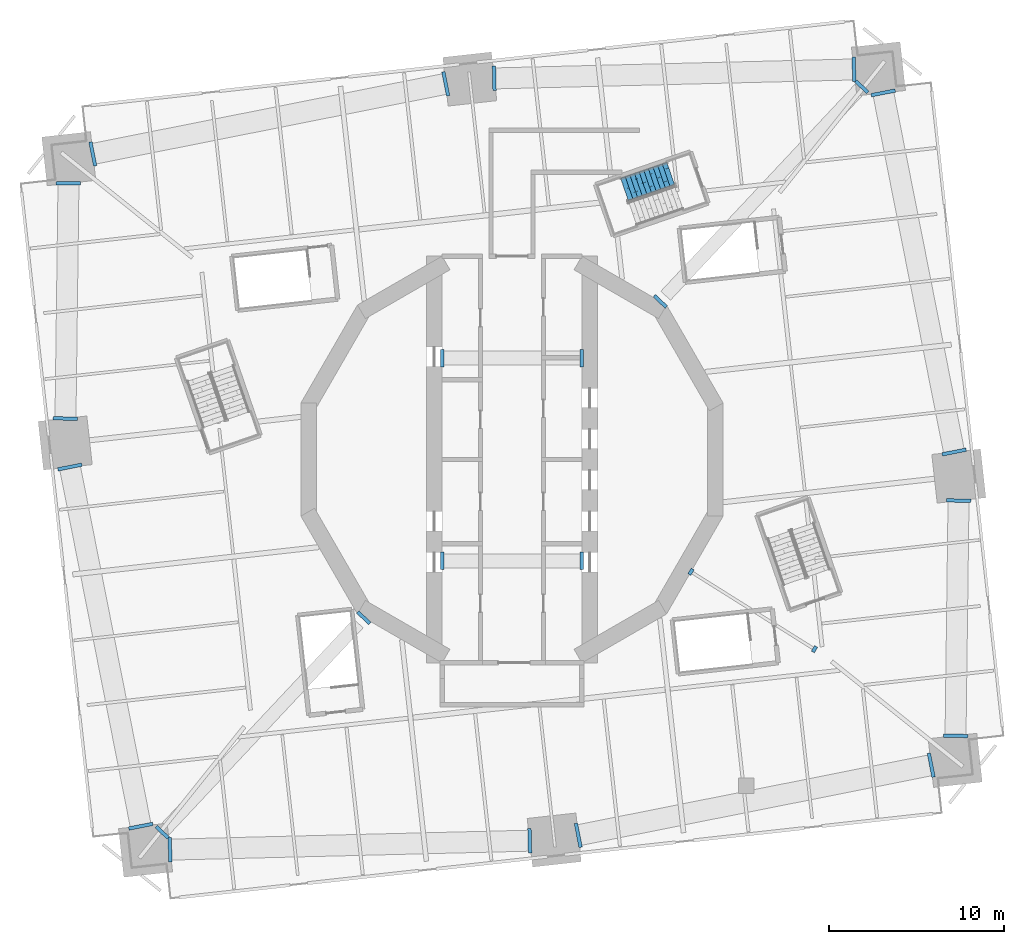
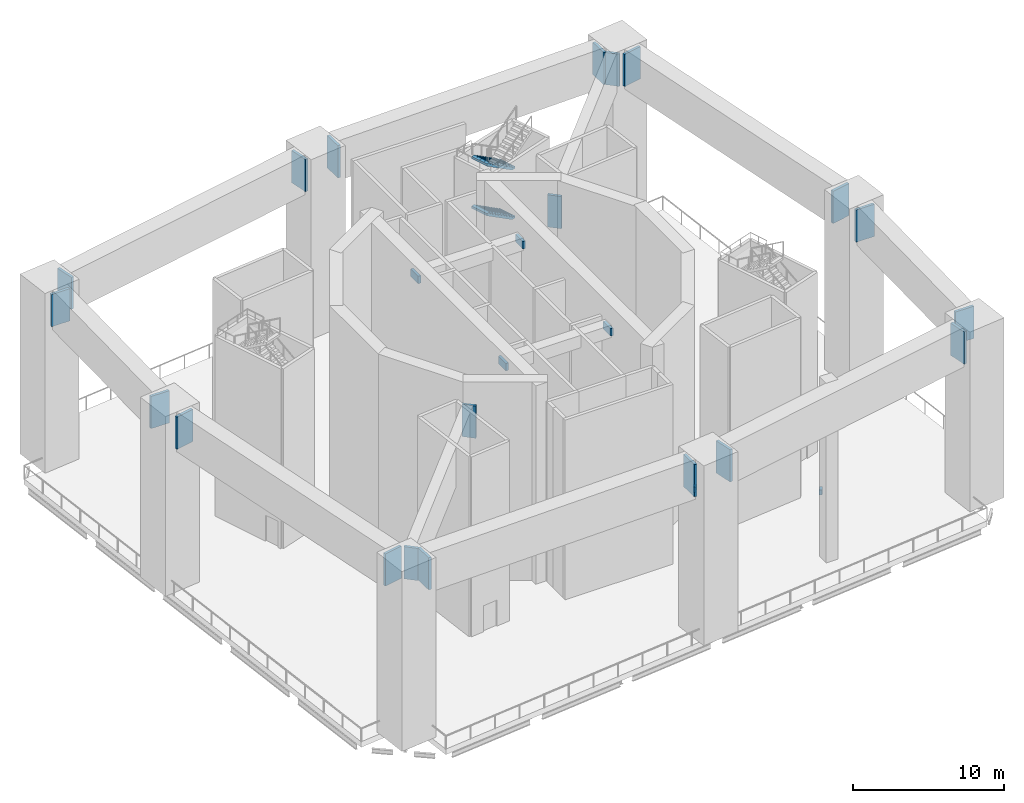
# One storey, part 8 of 13: 26 discrete accessories, 2 stair flights, 1 element without a shape of its own.
"""IFC4 building model written with IfcOpenShell, lengths in metres."""

from ifc_helpers import new_model, si_unit, direction, frame, origin, place, context, subcontext, project, spatial, polyline, outline, extrude, material, layer, layer_set, type_object, element, aggregate, save


model = new_model("IFC4")

# Units and contexts
model_context = context("Model", 3, precision=1e-05, world=origin(), true_north=direction((0.0, 1.0)))
body_context = subcontext(model_context, "Body", "Model", "MODEL_VIEW")
ifc_project = project(units=[si_unit("LENGTHUNIT", "METRE"), si_unit("AREAUNIT", "SQUARE_METRE"), si_unit("VOLUMEUNIT", "CUBIC_METRE"), si_unit("PLANEANGLEUNIT", "RADIAN"), si_unit("MASSUNIT", "GRAM", prefix="KILO")], contexts=[model_context])

# Site, building, storey
site_placement = place(None, origin())
site = spatial("IfcSite", under=ifc_project, at=site_placement, CompositionType="ELEMENT")
building_placement = place(site_placement, origin())
building = spatial("IfcBuilding", under=site, at=building_placement, Name="Cantera Rosa Tower", CompositionType="ELEMENT")
storey_placement = place(building_placement, frame((0.0, 0.0, 84.300048828125)))
storey = spatial("IfcBuildingStorey", under=building, at=storey_placement, Name="L18", CompositionType="ELEMENT", Elevation=84.300048828125)

# Stair, stair flights
ifc_material_1 = material(Name="Concrete C35/45", Category="concrete")
stair_type = type_object("IfcStairType", Name="EXIT STAIR 1350 DOGLEG", PredefinedType="HALF_TURN_STAIR", material=ifc_material_1)
stair_placement = place(storey_placement, origin())
stair = element("IfcStair", 1, at=stair_placement, inside=storey, type_object=stair_type, Name="L18 ST-21", PredefinedType="HALF_TURN_STAIR")
ifc_material_2 = material(Name="Concrete C35/45", Category="concrete")
stair_flight_type = type_object("IfcStairFlightType", Name="STAIR FLIGHT 1350 R88x182", PredefinedType="STRAIGHT", material=ifc_material_2)
stair_flight_1_placement = place(storey_placement, frame((9.07958984375, 16.364990234375, 8.0), z_axis=(0.0, 0.0, 1.0), x_axis=(-0.945518575599, -0.325568154457, 0.0)))
stair_flight_1 = element("IfcStairFlight", 2, at=stair_flight_1_placement, type_object=stair_flight_type, Name="ST-21 flight 5", NumberOfRisers=11, NumberOfTreads=10, PredefinedType="STRAIGHT", RiserHeight=0.181818182, TreadLength=0.28, context=body_context, shape_type="SweptSolid", body=[
    extrude(outline(polyline([(0.0, 0.0), (0.0, 0.181884765625), (0.280029296875, 0.181884765625), (0.280029296875, 0.363525390625), (0.56005859375, 0.363525390625), (0.56005859375, 0.54541015625), (0.840087890625, 0.54541015625), (0.840087890625, 0.727294921875), (1.1201171875, 0.727294921875), (1.1201171875, 0.9091796875), (1.39990234375, 0.9091796875), (1.39990234375, 1.0908203125), (1.679931640625, 1.0908203125), (1.679931640625, 1.272705078125), (1.9599609375, 1.272705078125), (1.9599609375, 1.45458984375), (2.239990234375, 1.45458984375), (2.239990234375, 1.636474609375), (2.52001953125, 1.636474609375), (2.52001953125, 1.818115234375), (2.800048828125, 1.818115234375), (2.800048828125, 2.0), (2.800048828125, 1.639404296875), (0.275146484375, 0.0), (0.0, 0.0)])), frame((0.0, 0.675048828125, 0.0), z_axis=(0.0, -1.0, 0.0), x_axis=(1.0, 0.0, 0.0)), (0.0, 0.0, 1.0), 0.3359375),
    extrude(outline(polyline([(0.0, 0.0), (0.0, 0.181884765625), (0.280029296875, 0.181884765625), (0.280029296875, 0.363525390625), (0.56005859375, 0.363525390625), (0.56005859375, 0.54541015625), (0.840087890625, 0.54541015625), (0.840087890625, 0.727294921875), (1.1201171875, 0.727294921875), (1.1201171875, 0.9091796875), (1.39990234375, 0.9091796875), (1.39990234375, 1.0908203125), (1.679931640625, 1.0908203125), (1.679931640625, 1.272705078125), (1.9599609375, 1.272705078125), (1.9599609375, 1.45458984375), (2.239990234375, 1.45458984375), (2.239990234375, 1.636474609375), (2.52001953125, 1.636474609375), (2.52001953125, 1.818115234375), (2.800048828125, 1.818115234375), (2.800048828125, 2.0), (2.800048828125, 1.639404296875), (0.275146484375, 0.0), (0.0, 0.0)])), frame((0.0, 0.337158203125, 0.0), z_axis=(0.0, -1.0, 0.0), x_axis=(1.0, 0.0, 0.0)), (0.0, 0.0, 1.0), 0.3359375),
    extrude(outline(polyline([(0.0, 0.0), (0.0, 0.181884765625), (0.280029296875, 0.181884765625), (0.280029296875, 0.363525390625), (0.56005859375, 0.363525390625), (0.56005859375, 0.54541015625), (0.840087890625, 0.54541015625), (0.840087890625, 0.727294921875), (1.1201171875, 0.727294921875), (1.1201171875, 0.9091796875), (1.39990234375, 0.9091796875), (1.39990234375, 1.0908203125), (1.679931640625, 1.0908203125), (1.679931640625, 1.272705078125), (1.9599609375, 1.272705078125), (1.9599609375, 1.45458984375), (2.239990234375, 1.45458984375), (2.239990234375, 1.636474609375), (2.52001953125, 1.636474609375), (2.52001953125, 1.818115234375), (2.800048828125, 1.818115234375), (2.800048828125, 2.0), (2.800048828125, 1.639404296875), (0.275146484375, 0.0), (0.0, 0.0)])), frame((0.0, -0.000732421875, 0.0), z_axis=(0.0, -1.0, 0.0), x_axis=(1.0, 0.0, 0.0)), (0.0, 0.0, 1.0), 0.3359375),
    extrude(outline(polyline([(0.0, 0.0), (0.0, 0.181884765625), (0.280029296875, 0.181884765625), (0.280029296875, 0.363525390625), (0.56005859375, 0.363525390625), (0.56005859375, 0.54541015625), (0.840087890625, 0.54541015625), (0.840087890625, 0.727294921875), (1.1201171875, 0.727294921875), (1.1201171875, 0.9091796875), (1.39990234375, 0.9091796875), (1.39990234375, 1.0908203125), (1.679931640625, 1.0908203125), (1.679931640625, 1.272705078125), (1.9599609375, 1.272705078125), (1.9599609375, 1.45458984375), (2.239990234375, 1.45458984375), (2.239990234375, 1.636474609375), (2.52001953125, 1.636474609375), (2.52001953125, 1.818115234375), (2.800048828125, 1.818115234375), (2.800048828125, 2.0), (2.800048828125, 1.639404296875), (0.275146484375, 0.0), (0.0, 0.0)])), frame((0.0, -0.338623046875, 0.0), z_axis=(0.0, -1.0, 0.0), x_axis=(1.0, 0.0, 0.0)), (0.0, 0.0, 1.0), 0.3359375),
])
stair_flight_2_placement = place(storey_placement, frame((9.07958984375, 16.364990234375, 12.0), z_axis=(0.0, 0.0, 1.0), x_axis=(-0.945518575599, -0.325568154457, 0.0)))
stair_flight_2 = element("IfcStairFlight", 3, at=stair_flight_2_placement, type_object=stair_flight_type, Name="ST-21 flight 7", NumberOfRisers=11, NumberOfTreads=10, PredefinedType="STRAIGHT", RiserHeight=0.181818182, TreadLength=0.28, context=body_context, shape_type="SweptSolid", body=[
    extrude(outline(polyline([(0.0, 0.0), (0.0, 0.181884765625), (0.280029296875, 0.181884765625), (0.280029296875, 0.363525390625), (0.56005859375, 0.363525390625), (0.56005859375, 0.54541015625), (0.840087890625, 0.54541015625), (0.840087890625, 0.727294921875), (1.1201171875, 0.727294921875), (1.1201171875, 0.9091796875), (1.39990234375, 0.9091796875), (1.39990234375, 1.0908203125), (1.679931640625, 1.0908203125), (1.679931640625, 1.272705078125), (1.9599609375, 1.272705078125), (1.9599609375, 1.45458984375), (2.239990234375, 1.45458984375), (2.239990234375, 1.636474609375), (2.52001953125, 1.636474609375), (2.52001953125, 1.818115234375), (2.800048828125, 1.818115234375), (2.800048828125, 2.0), (2.800048828125, 1.639404296875), (0.275146484375, 0.0), (0.0, 0.0)])), frame((0.0, 0.675048828125, 0.0), z_axis=(0.0, -1.0, 0.0), x_axis=(1.0, 0.0, 0.0)), (0.0, 0.0, 1.0), 0.3359375),
    extrude(outline(polyline([(0.0, 0.0), (0.0, 0.181884765625), (0.280029296875, 0.181884765625), (0.280029296875, 0.363525390625), (0.56005859375, 0.363525390625), (0.56005859375, 0.54541015625), (0.840087890625, 0.54541015625), (0.840087890625, 0.727294921875), (1.1201171875, 0.727294921875), (1.1201171875, 0.9091796875), (1.39990234375, 0.9091796875), (1.39990234375, 1.0908203125), (1.679931640625, 1.0908203125), (1.679931640625, 1.272705078125), (1.9599609375, 1.272705078125), (1.9599609375, 1.45458984375), (2.239990234375, 1.45458984375), (2.239990234375, 1.636474609375), (2.52001953125, 1.636474609375), (2.52001953125, 1.818115234375), (2.800048828125, 1.818115234375), (2.800048828125, 2.0), (2.800048828125, 1.639404296875), (0.275146484375, 0.0), (0.0, 0.0)])), frame((0.0, 0.337158203125, 0.0), z_axis=(0.0, -1.0, 0.0), x_axis=(1.0, 0.0, 0.0)), (0.0, 0.0, 1.0), 0.3359375),
    extrude(outline(polyline([(0.0, 0.0), (0.0, 0.181884765625), (0.280029296875, 0.181884765625), (0.280029296875, 0.363525390625), (0.56005859375, 0.363525390625), (0.56005859375, 0.54541015625), (0.840087890625, 0.54541015625), (0.840087890625, 0.727294921875), (1.1201171875, 0.727294921875), (1.1201171875, 0.9091796875), (1.39990234375, 0.9091796875), (1.39990234375, 1.0908203125), (1.679931640625, 1.0908203125), (1.679931640625, 1.272705078125), (1.9599609375, 1.272705078125), (1.9599609375, 1.45458984375), (2.239990234375, 1.45458984375), (2.239990234375, 1.636474609375), (2.52001953125, 1.636474609375), (2.52001953125, 1.818115234375), (2.800048828125, 1.818115234375), (2.800048828125, 2.0), (2.800048828125, 1.639404296875), (0.275146484375, 0.0), (0.0, 0.0)])), frame((0.0, -0.000732421875, 0.0), z_axis=(0.0, -1.0, 0.0), x_axis=(1.0, 0.0, 0.0)), (0.0, 0.0, 1.0), 0.3359375),
    extrude(outline(polyline([(0.0, 0.0), (0.0, 0.181884765625), (0.280029296875, 0.181884765625), (0.280029296875, 0.363525390625), (0.56005859375, 0.363525390625), (0.56005859375, 0.54541015625), (0.840087890625, 0.54541015625), (0.840087890625, 0.727294921875), (1.1201171875, 0.727294921875), (1.1201171875, 0.9091796875), (1.39990234375, 0.9091796875), (1.39990234375, 1.0908203125), (1.679931640625, 1.0908203125), (1.679931640625, 1.272705078125), (1.9599609375, 1.272705078125), (1.9599609375, 1.45458984375), (2.239990234375, 1.45458984375), (2.239990234375, 1.636474609375), (2.52001953125, 1.636474609375), (2.52001953125, 1.818115234375), (2.800048828125, 1.818115234375), (2.800048828125, 2.0), (2.800048828125, 1.639404296875), (0.275146484375, 0.0), (0.0, 0.0)])), frame((0.0, -0.338623046875, 0.0), z_axis=(0.0, -1.0, 0.0), x_axis=(1.0, 0.0, 0.0)), (0.0, 0.0, 1.0), 0.3359375),
])
aggregate(stair, [stair_flight_1, stair_flight_2])

# Discrete accessories
ifc_material_3 = material(Name="Steel ASTM A992 (Fy 345 MPa)", Category="steel")
ifc_layer = layer(ifc_material_3, 0.0400390625)
ifc_layer_set = layer_set([ifc_layer], Name="STEEL BEARING PLATE 40")
discrete_accessory_type = type_object("IfcDiscreteAccessoryType", Name="STEEL BEARING PLATE 40", PredefinedType="ANCHORPLATE", material=ifc_layer_set)
discrete_accessory_1_placement = place(storey_placement, frame((0.0, 0.0, 11.599853515625)))
element("IfcDiscreteAccessory", 4, at=discrete_accessory_1_placement, inside=storey, type_object=discrete_accessory_type, Name="BEARING PLATE PGB-L18-1 end 1", PredefinedType="ANCHORPLATE", context=body_context, shape_type="SweptSolid", body=[
    extrude(outline(polyline([(-19.48046875, -21.61181640625), (-19.680419921875, -21.61669921875), (-19.6455078125, -23.01611328125), (-19.445556640625, -23.01123046875), (-19.48046875, -21.61181640625)])), origin(), (0.0, 0.0, 1.0), 2.60009765625),
])
discrete_accessory_2_placement = place(storey_placement, frame((0.0, 0.0, 11.599853515625)))
element("IfcDiscreteAccessory", 5, at=discrete_accessory_2_placement, inside=storey, type_object=discrete_accessory_type, Name="BEARING PLATE PGB-L18-1 end 2", PredefinedType="ANCHORPLATE", context=body_context, shape_type="SweptSolid", body=[
    extrude(outline(polyline([(0.93359375, -22.50341796875), (1.1337890625, -22.49853515625), (1.098876953125, -21.098876953125), (0.89892578125, -21.10400390625), (0.93359375, -22.50341796875)])), origin(), (0.0, 0.0, 1.0), 2.60009765625),
])
discrete_accessory_3_placement = place(storey_placement, frame((0.0, 0.0, 11.599853515625)))
element("IfcDiscreteAccessory", 6, at=discrete_accessory_3_placement, inside=storey, type_object=discrete_accessory_type, Name="BEARING PLATE PGB-L18-2 end 1", PredefinedType="ANCHORPLATE", context=body_context, shape_type="SweptSolid", body=[
    extrude(outline(polyline([(3.75048828125, -20.787353515625), (3.554443359375, -20.826416015625), (3.827392578125, -22.199462890625), (4.0234375, -22.16064453125), (3.75048828125, -20.787353515625)])), origin(), (0.0, 0.0, 1.0), 2.60009765625),
])
discrete_accessory_4_placement = place(storey_placement, frame((0.0, 0.0, 11.599853515625)))
element("IfcDiscreteAccessory", 7, at=discrete_accessory_4_placement, inside=storey, type_object=discrete_accessory_type, Name="BEARING PLATE PGB-L18-2 end 2", PredefinedType="ANCHORPLATE", context=body_context, shape_type="SweptSolid", body=[
    extrude(outline(polyline([(24.018310546875, -18.187255859375), (24.21435546875, -18.148193359375), (23.94140625, -16.775146484375), (23.745361328125, -16.814208984375), (24.018310546875, -18.187255859375)])), origin(), (0.0, 0.0, 1.0), 2.60009765625),
])
discrete_accessory_5_placement = place(storey_placement, frame((0.0, 0.0, 11.599853515625)))
element("IfcDiscreteAccessory", 8, at=discrete_accessory_5_placement, inside=storey, type_object=discrete_accessory_type, Name="BEARING PLATE PGB-L18-3 end 1", PredefinedType="ANCHORPLATE", context=body_context, shape_type="SweptSolid", body=[
    extrude(outline(polyline([(24.672119140625, -15.699462890625), (24.669677734375, -15.8994140625), (26.069580078125, -15.917236328125), (26.072021484375, -15.71728515625), (24.672119140625, -15.699462890625)])), origin(), (0.0, 0.0, 1.0), 2.60009765625),
])
discrete_accessory_6_placement = place(storey_placement, frame((0.0, 0.0, 11.599853515625)))
element("IfcDiscreteAccessory", 9, at=discrete_accessory_6_placement, inside=storey, type_object=discrete_accessory_type, Name="BEARING PLATE PGB-L18-3 end 2", PredefinedType="ANCHORPLATE", context=body_context, shape_type="SweptSolid", body=[
    extrude(outline(polyline([(26.2412109375, -2.454833984375), (26.24365234375, -2.2548828125), (24.843994140625, -2.237060546875), (24.84130859375, -2.43701171875), (26.2412109375, -2.454833984375)])), origin(), (0.0, 0.0, 1.0), 2.60009765625),
])
discrete_accessory_7_placement = place(storey_placement, frame((0.0, 0.0, 11.599853515625)))
element("IfcDiscreteAccessory", 10, at=discrete_accessory_7_placement, inside=storey, type_object=discrete_accessory_type, Name="BEARING PLATE PGB-L18-4 end 1", PredefinedType="ANCHORPLATE", context=body_context, shape_type="SweptSolid", body=[
    extrude(outline(polyline([(24.583251953125, 0.389892578125), (24.621826171875, 0.193603515625), (25.995361328125, 0.46484375), (25.956787109375, 0.660888671875), (24.583251953125, 0.389892578125)])), origin(), (0.0, 0.0, 1.0), 2.60009765625),
])
discrete_accessory_8_placement = place(storey_placement, frame((0.0, 0.0, 11.599853515625)))
element("IfcDiscreteAccessory", 11, at=discrete_accessory_8_placement, inside=storey, type_object=discrete_accessory_type, Name="BEARING PLATE PGB-L18-4 end 2", PredefinedType="ANCHORPLATE", context=body_context, shape_type="SweptSolid", body=[
    extrude(outline(polyline([(21.939697265625, 21.0126953125), (21.901123046875, 21.208984375), (20.527587890625, 20.93798828125), (20.56640625, 20.74169921875), (21.939697265625, 21.0126953125)])), origin(), (0.0, 0.0, 1.0), 2.60009765625),
])
discrete_accessory_9_placement = place(storey_placement, frame((0.0, 0.0, 11.599853515625)))
element("IfcDiscreteAccessory", 12, at=discrete_accessory_9_placement, inside=storey, type_object=discrete_accessory_type, Name="BEARING PLATE PGB-L18-5 end 1", PredefinedType="ANCHORPLATE", context=body_context, shape_type="SweptSolid", body=[
    extrude(outline(polyline([(19.48046875, 21.61181640625), (19.680419921875, 21.61669921875), (19.6455078125, 23.01611328125), (19.445556640625, 23.01123046875), (19.48046875, 21.61181640625)])), origin(), (0.0, 0.0, 1.0), 2.60009765625),
])
discrete_accessory_10_placement = place(storey_placement, frame((0.0, 0.0, 11.599853515625)))
element("IfcDiscreteAccessory", 13, at=discrete_accessory_10_placement, inside=storey, type_object=discrete_accessory_type, Name="BEARING PLATE PGB-L18-5 end 2", PredefinedType="ANCHORPLATE", context=body_context, shape_type="SweptSolid", body=[
    extrude(outline(polyline([(-0.93359375, 22.50341796875), (-1.1337890625, 22.49853515625), (-1.098876953125, 21.098876953125), (-0.89892578125, 21.10400390625), (-0.93359375, 22.50341796875)])), origin(), (0.0, 0.0, 1.0), 2.60009765625),
])
discrete_accessory_11_placement = place(storey_placement, frame((0.0, 0.0, 11.599853515625)))
element("IfcDiscreteAccessory", 14, at=discrete_accessory_11_placement, inside=storey, type_object=discrete_accessory_type, Name="BEARING PLATE PGB-L18-6 end 1", PredefinedType="ANCHORPLATE", context=body_context, shape_type="SweptSolid", body=[
    extrude(outline(polyline([(-3.75048828125, 20.787353515625), (-3.554443359375, 20.826416015625), (-3.827392578125, 22.199462890625), (-4.0234375, 22.16064453125), (-3.75048828125, 20.787353515625)])), origin(), (0.0, 0.0, 1.0), 2.60009765625),
])
discrete_accessory_12_placement = place(storey_placement, frame((0.0, 0.0, 11.599853515625)))
element("IfcDiscreteAccessory", 15, at=discrete_accessory_12_placement, inside=storey, type_object=discrete_accessory_type, Name="BEARING PLATE PGB-L18-6 end 2", PredefinedType="ANCHORPLATE", context=body_context, shape_type="SweptSolid", body=[
    extrude(outline(polyline([(-24.018310546875, 18.187255859375), (-24.21435546875, 18.148193359375), (-23.94140625, 16.775146484375), (-23.745361328125, 16.814208984375), (-24.018310546875, 18.187255859375)])), origin(), (0.0, 0.0, 1.0), 2.60009765625),
])
discrete_accessory_13_placement = place(storey_placement, frame((0.0, 0.0, 11.599853515625)))
element("IfcDiscreteAccessory", 16, at=discrete_accessory_13_placement, inside=storey, type_object=discrete_accessory_type, Name="BEARING PLATE PGB-L18-7 end 1", PredefinedType="ANCHORPLATE", context=body_context, shape_type="SweptSolid", body=[
    extrude(outline(polyline([(-24.672119140625, 15.699462890625), (-24.669677734375, 15.8994140625), (-26.069580078125, 15.917236328125), (-26.072021484375, 15.71728515625), (-24.672119140625, 15.699462890625)])), origin(), (0.0, 0.0, 1.0), 2.60009765625),
])
discrete_accessory_14_placement = place(storey_placement, frame((0.0, 0.0, 11.599853515625)))
element("IfcDiscreteAccessory", 17, at=discrete_accessory_14_placement, inside=storey, type_object=discrete_accessory_type, Name="BEARING PLATE PGB-L18-7 end 2", PredefinedType="ANCHORPLATE", context=body_context, shape_type="SweptSolid", body=[
    extrude(outline(polyline([(-26.2412109375, 2.454833984375), (-26.24365234375, 2.2548828125), (-24.843994140625, 2.237060546875), (-24.84130859375, 2.43701171875), (-26.2412109375, 2.454833984375)])), origin(), (0.0, 0.0, 1.0), 2.60009765625),
])
discrete_accessory_15_placement = place(storey_placement, frame((0.0, 0.0, 11.599853515625)))
element("IfcDiscreteAccessory", 18, at=discrete_accessory_15_placement, inside=storey, type_object=discrete_accessory_type, Name="BEARING PLATE PGB-L18-8 end 1", PredefinedType="ANCHORPLATE", context=body_context, shape_type="SweptSolid", body=[
    extrude(outline(polyline([(-24.583251953125, -0.389892578125), (-24.621826171875, -0.193603515625), (-25.995361328125, -0.46484375), (-25.956787109375, -0.660888671875), (-24.583251953125, -0.389892578125)])), origin(), (0.0, 0.0, 1.0), 2.60009765625),
])
discrete_accessory_16_placement = place(storey_placement, frame((0.0, 0.0, 11.599853515625)))
element("IfcDiscreteAccessory", 19, at=discrete_accessory_16_placement, inside=storey, type_object=discrete_accessory_type, Name="BEARING PLATE PGB-L18-8 end 2", PredefinedType="ANCHORPLATE", context=body_context, shape_type="SweptSolid", body=[
    extrude(outline(polyline([(-21.939697265625, -21.0126953125), (-21.901123046875, -21.208984375), (-20.527587890625, -20.93798828125), (-20.56640625, -20.74169921875), (-21.939697265625, -21.0126953125)])), origin(), (0.0, 0.0, 1.0), 2.60009765625),
])
discrete_accessory_17_placement = place(storey_placement, frame((0.0, 0.0, 11.599853515625)))
element("IfcDiscreteAccessory", 20, at=discrete_accessory_17_placement, inside=storey, type_object=discrete_accessory_type, Name="BEARING PLATE OR-N18 end 1", PredefinedType="ANCHORPLATE", context=body_context, shape_type="SweptSolid", body=[
    extrude(outline(polyline([(8.205078125, 9.442138671875), (8.068359375, 9.296142578125), (8.76123046875, 8.646240234375), (8.89794921875, 8.7919921875), (8.205078125, 9.442138671875)])), origin(), (0.0, 0.0, 1.0), 2.60009765625),
])
discrete_accessory_18_placement = place(storey_placement, frame((0.0, 0.0, 11.599853515625)))
element("IfcDiscreteAccessory", 21, at=discrete_accessory_18_placement, inside=storey, type_object=discrete_accessory_type, Name="BEARING PLATE OR-N18 end 2", PredefinedType="ANCHORPLATE", context=body_context, shape_type="SweptSolid", body=[
    extrude(outline(polyline([(20.28271484375, 20.9296875), (20.419677734375, 21.07568359375), (19.726806640625, 21.7255859375), (19.58984375, 21.57958984375), (20.28271484375, 20.9296875)])), origin(), (0.0, 0.0, 1.0), 2.60009765625),
])
discrete_accessory_19_placement = place(storey_placement, frame((0.0, 0.0, 11.599853515625)))
element("IfcDiscreteAccessory", 22, at=discrete_accessory_19_placement, inside=storey, type_object=discrete_accessory_type, Name="BEARING PLATE OR-S18 end 1", PredefinedType="ANCHORPLATE", context=body_context, shape_type="SweptSolid", body=[
    extrude(outline(polyline([(-8.205078125, -9.442138671875), (-8.068359375, -9.296142578125), (-8.76123046875, -8.646240234375), (-8.89794921875, -8.7919921875), (-8.205078125, -9.442138671875)])), origin(), (0.0, 0.0, 1.0), 2.60009765625),
])
discrete_accessory_20_placement = place(storey_placement, frame((0.0, 0.0, 11.599853515625)))
element("IfcDiscreteAccessory", 23, at=discrete_accessory_20_placement, inside=storey, type_object=discrete_accessory_type, Name="BEARING PLATE OR-S18 end 2", PredefinedType="ANCHORPLATE", context=body_context, shape_type="SweptSolid", body=[
    extrude(outline(polyline([(-20.28271484375, -20.9296875), (-20.419677734375, -21.07568359375), (-19.726806640625, -21.7255859375), (-19.58984375, -21.57958984375), (-20.28271484375, -20.9296875)])), origin(), (0.0, 0.0, 1.0), 2.60009765625),
])
discrete_accessory_21_placement = place(storey_placement, frame((0.0, 0.0, 13.699951171875)))
element("IfcDiscreteAccessory", 24, at=discrete_accessory_21_placement, inside=storey, type_object=discrete_accessory_type, Name="BEARING PLATE CPL-L18-1 end 1", PredefinedType="ANCHORPLATE", context=body_context, shape_type="SweptSolid", body=[
    extrude(outline(polyline([(-3.89990234375, -5.300048828125), (-4.10009765625, -5.300048828125), (-4.10009765625, -6.300048828125), (-3.89990234375, -6.300048828125), (-3.89990234375, -5.300048828125)])), origin(), (0.0, 0.0, 1.0), 0.60009765625),
])
discrete_accessory_22_placement = place(storey_placement, frame((0.0, 0.0, 13.699951171875)))
element("IfcDiscreteAccessory", 25, at=discrete_accessory_22_placement, inside=storey, type_object=discrete_accessory_type, Name="BEARING PLATE CPL-L18-1 end 2", PredefinedType="ANCHORPLATE", context=body_context, shape_type="SweptSolid", body=[
    extrude(outline(polyline([(3.89990234375, -6.300048828125), (4.10009765625, -6.300048828125), (4.10009765625, -5.300048828125), (3.89990234375, -5.300048828125), (3.89990234375, -6.300048828125)])), origin(), (0.0, 0.0, 1.0), 0.60009765625),
])
discrete_accessory_23_placement = place(storey_placement, frame((0.0, 0.0, 13.699951171875)))
element("IfcDiscreteAccessory", 26, at=discrete_accessory_23_placement, inside=storey, type_object=discrete_accessory_type, Name="BEARING PLATE CPL-L18-2 end 1", PredefinedType="ANCHORPLATE", context=body_context, shape_type="SweptSolid", body=[
    extrude(outline(polyline([(-3.89990234375, 6.300048828125), (-4.10009765625, 6.300048828125), (-4.10009765625, 5.300048828125), (-3.89990234375, 5.300048828125), (-3.89990234375, 6.300048828125)])), origin(), (0.0, 0.0, 1.0), 0.60009765625),
])
discrete_accessory_24_placement = place(storey_placement, frame((0.0, 0.0, 13.699951171875)))
element("IfcDiscreteAccessory", 27, at=discrete_accessory_24_placement, inside=storey, type_object=discrete_accessory_type, Name="BEARING PLATE CPL-L18-2 end 2", PredefinedType="ANCHORPLATE", context=body_context, shape_type="SweptSolid", body=[
    extrude(outline(polyline([(3.89990234375, 5.300048828125), (4.10009765625, 5.300048828125), (4.10009765625, 6.300048828125), (3.89990234375, 6.300048828125), (3.89990234375, 5.300048828125)])), origin(), (0.0, 0.0, 1.0), 0.60009765625),
])
discrete_accessory_25_placement = place(storey_placement, frame((0.0, 0.0, -0.927978515625)))
element("IfcDiscreteAccessory", 28, at=discrete_accessory_25_placement, inside=storey, type_object=discrete_accessory_type, Name="BEARING PLATE PG-Z1-01 end 1 L18", PredefinedType="ANCHORPLATE", context=body_context, shape_type="SweptSolid", body=[
    extrude(outline(polyline([(17.12060546875, -10.952392578125), (17.2900390625, -11.05859375), (17.484619140625, -10.74853515625), (17.315185546875, -10.642333984375), (17.12060546875, -10.952392578125)])), origin(), (0.0, 0.0, 1.0), 0.427978515625),
])
discrete_accessory_26_placement = place(storey_placement, frame((0.0, 0.0, -0.927978515625)))
element("IfcDiscreteAccessory", 29, at=discrete_accessory_26_placement, inside=storey, type_object=discrete_accessory_type, Name="BEARING PLATE PG-Z1-01 end 2 L18", PredefinedType="ANCHORPLATE", context=body_context, shape_type="SweptSolid", body=[
    extrude(outline(polyline([(10.41796875, -6.317138671875), (10.248291015625, -6.210693359375), (10.053955078125, -6.52099609375), (10.223388671875, -6.627197265625), (10.41796875, -6.317138671875)])), origin(), (0.0, 0.0, 1.0), 0.427978515625),
])

save(model, "model.ifc")
